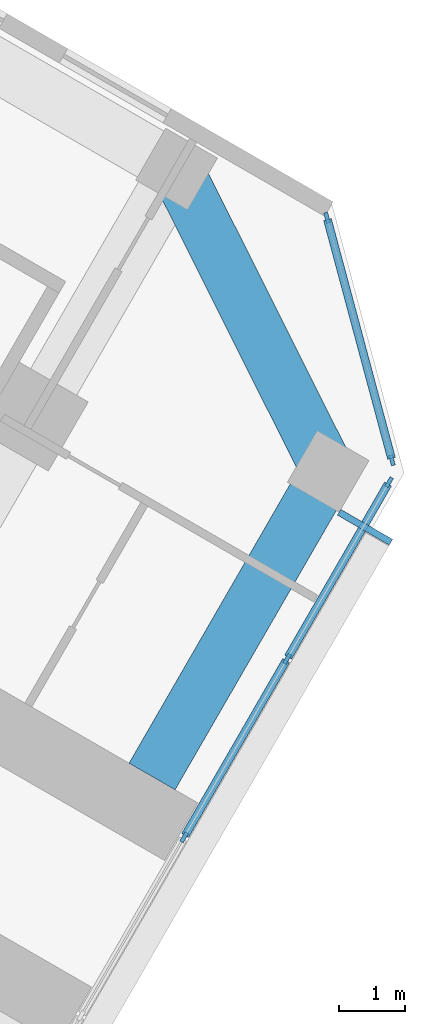
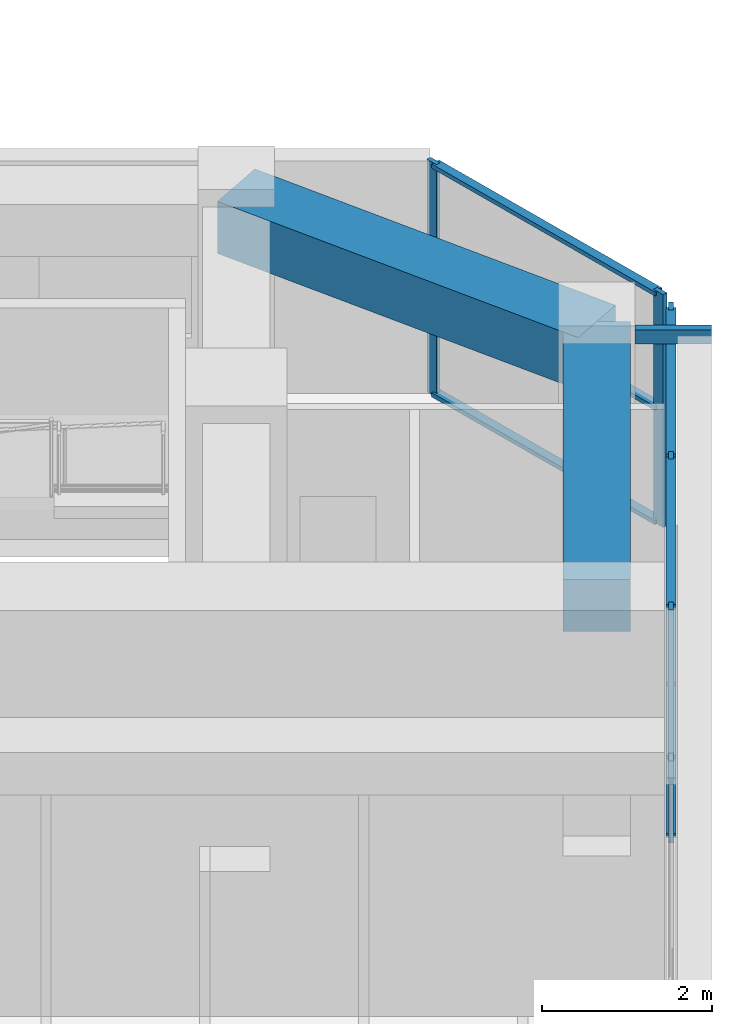
# One storey, part 8 of 21: 13 members, 2 beams, 2 elements without a shape of their own.
"""IFC4 building model written with IfcOpenShell, lengths in metres."""

from ifc_helpers import new_model, si_unit, direction, frame, origin, origin_2d, place, context, subcontext, project, spatial, rectangle, hollow_rectangle, extrude, material, material_profile, profile_set, type_object, element, aggregate, save


model = new_model("IFC4")

# Units and contexts
model_context = context("Model", 3, precision=1e-05, world=origin(), true_north=direction((0.0, 1.0)))
body_context = subcontext(model_context, "Body", "Model", "MODEL_VIEW")
ifc_project = project(units=[si_unit("LENGTHUNIT", "METRE"), si_unit("AREAUNIT", "SQUARE_METRE"), si_unit("VOLUMEUNIT", "CUBIC_METRE"), si_unit("PLANEANGLEUNIT", "RADIAN"), si_unit("MASSUNIT", "GRAM", prefix="KILO")], contexts=[model_context])

# Site, building, storey
site_placement = place(None, origin())
site = spatial("IfcSite", under=ifc_project, at=site_placement, CompositionType="ELEMENT")
building_placement = place(site_placement, origin())
building = spatial("IfcBuilding", under=site, at=building_placement, Name="Kosmar Iwan School Tower", CompositionType="ELEMENT")
storey_placement = place(building_placement, frame((0.0, 0.0, 84.39990234375)))
storey = spatial("IfcBuildingStorey", under=building, at=storey_placement, Name="L20", CompositionType="ELEMENT", Elevation=84.39990234375)

# Member
ifc_material_1 = material(Name="Steel S355", Category="steel")
ifc_material_profile_1 = material_profile(ifc_material_1, hollow_rectangle(XDim=0.10009765625, YDim=0.199951171875, WallThickness=0.008056640625, at=origin_2d()), Name="RHS 200x100x8")
ifc_profile_set_1 = profile_set([ifc_material_profile_1], Name="Steel S355")
member_type_1 = type_object("IfcMemberType", Name="Fin bracket RHS 200x100", PredefinedType="USERDEFINED", material=ifc_profile_set_1)
member_1_placement = place(storey_placement, frame((32.963134765625, -11.006103515625, 3.47509765625), z_axis=(0.866081705922, -0.499902469156, 0.0), x_axis=(0.499902469156, 0.866081705922, 0.0)))
element("IfcMember", 1, at=member_1_placement, inside=storey, type_object=member_type_1, Name="Fin bracket L21", ObjectType="FIN BRACKET", PredefinedType="USERDEFINED", context=body_context, shape_type="SweptSolid", body=[
    extrude(hollow_rectangle(XDim=0.10009765625, YDim=0.199951171875, WallThickness=0.008056640625, at=origin_2d()), origin(), (0.0, 0.0, 1.0), 0.900146484375),
])

# Curtain wall, members
ifc_material_2 = material(Name="Dark glass in black aluminium frame", Category="aluminium")
curtain_wall_type_1 = type_object("IfcCurtainWallType", Name="Tower curtain wall dark glass", PredefinedType="USERDEFINED", material=ifc_material_2)
curtain_wall_1_placement = place(storey_placement, origin())
curtain_wall_1 = element("IfcCurtainWall", 2, at=curtain_wall_1_placement, inside=storey, type_object=curtain_wall_type_1, Name="Curtain wall L20-F03", ObjectType="UNITISED CURTAIN WALL", PredefinedType="USERDEFINED")
ifc_material_3 = material(Name="Black anodised aluminium", Category="aluminium")
ifc_material_profile_2 = material_profile(ifc_material_3, rectangle(XDim=0.06005859375, YDim=0.159912109375, at=origin_2d()), Name="MULLION 60x160")
ifc_profile_set_2 = profile_set([ifc_material_profile_2], Name="Black anodised aluminium")
member_type_2 = type_object("IfcMemberType", Name="Mullion 60x160", PredefinedType="MULLION", material=ifc_profile_set_2)
member_2_placement = place(storey_placement, frame((30.631103515625, -15.8955078125, 0.0), z_axis=(0.0, 0.0, 1.0), x_axis=(-0.866025405329, 0.499999997325, 0.0)))
member_2 = element("IfcMember", 3, at=member_2_placement, type_object=member_type_2, Name="CW1 mullion 4", PredefinedType="MULLION", context=body_context, shape_type="SweptSolid", body=[
    extrude(rectangle(XDim=0.06005859375, YDim=0.159912109375, at=origin_2d()), origin(), (0.0, 0.0, 1.0), 3.35009765625),
])
member_3_placement = place(storey_placement, frame((32.1806640625, -13.21142578125, 0.0), z_axis=(0.0, 0.0, 1.0), x_axis=(-0.866025405329, 0.499999997325, 0.0)))
member_3 = element("IfcMember", 4, at=member_3_placement, type_object=member_type_2, Name="CW1 mullion 5", PredefinedType="MULLION", context=body_context, shape_type="SweptSolid", body=[
    extrude(rectangle(XDim=0.06005859375, YDim=0.159912109375, at=origin_2d()), origin(), (0.0, 0.0, 1.0), 3.35009765625),
])
member_4_placement = place(storey_placement, frame((33.71533203125, -10.55322265625, 0.0), z_axis=(0.0, 0.0, 1.0), x_axis=(-0.866025405329, 0.499999997325, 0.0)))
member_4 = element("IfcMember", 5, at=member_4_placement, type_object=member_type_2, Name="CW1 mullion 6", PredefinedType="MULLION", context=body_context, shape_type="SweptSolid", body=[
    extrude(rectangle(XDim=0.06005859375, YDim=0.159912109375, at=origin_2d()), origin(), (0.0, 0.0, 1.0), 3.35009765625),
])

ifc_material_4 = material(Name="Dark glass in black aluminium frame", Category="aluminium")
curtain_wall_type_2 = type_object("IfcCurtainWallType", Name="Chamfer curtain wall dark glass", PredefinedType="USERDEFINED", material=ifc_material_4)
curtain_wall_2_placement = place(storey_placement, origin())
curtain_wall_2 = element("IfcCurtainWall", 6, at=curtain_wall_2_placement, inside=storey, type_object=curtain_wall_type_2, Name="Curtain wall L20-F04", ObjectType="FACETED CURTAIN WALL", PredefinedType="USERDEFINED")
member_5_placement = place(storey_placement, frame((33.7587890625, -10.2236328125, 0.0), z_axis=(0.0, 0.0, 1.0), x_axis=(-0.965925875495, -0.258818861462, 0.0)))
member_5 = element("IfcMember", 7, at=member_5_placement, type_object=member_type_2, Name="CW2 mullion 1", PredefinedType="MULLION", context=body_context, shape_type="SweptSolid", body=[
    extrude(rectangle(XDim=0.06005859375, YDim=0.159912109375, at=origin_2d()), origin(), (0.0, 0.0, 1.0), 3.35009765625),
])
member_6_placement = place(storey_placement, frame((32.78076171875, -6.5732421875, 0.0), z_axis=(0.0, 0.0, 1.0), x_axis=(-0.965925875495, -0.258818861462, 0.0)))
member_6 = element("IfcMember", 8, at=member_6_placement, type_object=member_type_2, Name="CW2 mullion 2", PredefinedType="MULLION", context=body_context, shape_type="SweptSolid", body=[
    extrude(rectangle(XDim=0.06005859375, YDim=0.159912109375, at=origin_2d()), origin(), (0.0, 0.0, 1.0), 3.35009765625),
])

# Beams
ifc_material_5 = material(Name="Concrete C50/60", Category="concrete")
ifc_material_profile_3 = material_profile(ifc_material_5, rectangle(XDim=0.800048828125, YDim=0.75, at=origin_2d()), Name="RC 800x750")
ifc_profile_set_3 = profile_set([ifc_material_profile_3], Name="Concrete C50/60")
beam_type = type_object("IfcBeamType", Name="RC tip beam 800x750", PredefinedType="BEAM", material=ifc_profile_set_3)
beam_1_placement = place(storey_placement, frame((30.517822265625, -5.841552734375, 2.97509765625), z_axis=(0.44809604203, -0.893985423325, 0.0), x_axis=(0.893985423325, 0.44809604203, 0.0)))
element("IfcBeam", 9, at=beam_1_placement, inside=storey, type_object=beam_type, Name="Tip beam CL", PredefinedType="BEAM", context=body_context, shape_type="SweptSolid", body=[
    extrude(rectangle(XDim=0.800048828125, YDim=0.75, at=origin_2d()), origin(), (0.0, 0.0, 1.0), 5.08935546875),
])
beam_2_placement = place(storey_placement, frame((32.79833984375, -10.391357421875, 2.97509765625), z_axis=(-0.499973660256, -0.866040610509, 0.0), x_axis=(0.866040610509, -0.499973660256, 0.0)))
element("IfcBeam", 10, at=beam_2_placement, inside=storey, type_object=beam_type, Name="Tip beam CL to corridor wall", PredefinedType="BEAM", context=body_context, shape_type="SweptSolid", body=[
    extrude(rectangle(XDim=0.800048828125, YDim=0.75, at=origin_2d()), origin(), (0.0, 0.0, 1.0), 5.300048828125),
])

# Member
ifc_material_6 = material(Name="Black anodised aluminium", Category="aluminium")
ifc_material_profile_4 = material_profile(ifc_material_6, rectangle(XDim=0.1201171875, YDim=0.06005859375, at=origin_2d()), Name="TRANSOM 60x120")
ifc_profile_set_4 = profile_set([ifc_material_profile_4], Name="Black anodised aluminium")
member_type_3 = type_object("IfcMemberType", Name="Transom 60x120", PredefinedType="USERDEFINED", material=ifc_profile_set_4)
member_7_placement = place(storey_placement, frame((30.64599609375, -15.869384765625, 0.030029296875), z_axis=(0.500035348339, 0.866004994449, 0.0), x_axis=(-0.866004994449, 0.500035348339, 0.0)))
member_7 = element("IfcMember", 11, at=member_7_placement, type_object=member_type_3, Name="CW1 transom 4.1", ObjectType="TRANSOM", PredefinedType="USERDEFINED", context=body_context, shape_type="SweptSolid", body=[
    extrude(rectangle(XDim=0.1201171875, YDim=0.06005859375, at=origin_2d()), origin(), (0.0, 0.0, 1.0), 3.039306640625),
])

member_8_placement = place(storey_placement, frame((30.64599609375, -15.869384765625, 3.320068359375), z_axis=(0.500035348339, 0.866004994449, 0.0), x_axis=(-0.866004994449, 0.500035348339, 0.0)))
member_8 = element("IfcMember", 12, at=member_8_placement, type_object=member_type_3, Name="CW1 transom 4.2", ObjectType="TRANSOM", PredefinedType="USERDEFINED", context=body_context, shape_type="SweptSolid", body=[
    extrude(rectangle(XDim=0.1201171875, YDim=0.06005859375, at=origin_2d()), origin(), (0.0, 0.0, 1.0), 3.039306640625),
])

member_9_placement = place(storey_placement, frame((32.19580078125, -13.185302734375, 0.030029296875), z_axis=(0.500022102064, 0.866012642776, 0.0), x_axis=(-0.866012642776, 0.500022102064, 0.0)))
member_9 = element("IfcMember", 13, at=member_9_placement, type_object=member_type_3, Name="CW1 transom 5.1", ObjectType="TRANSOM", PredefinedType="USERDEFINED", context=body_context, shape_type="SweptSolid", body=[
    extrude(rectangle(XDim=0.1201171875, YDim=0.06005859375, at=origin_2d()), origin(), (0.0, 0.0, 1.0), 3.009033203125),
])

member_10_placement = place(storey_placement, frame((32.19580078125, -13.185302734375, 3.320068359375), z_axis=(0.500022102064, 0.866012642776, 0.0), x_axis=(-0.866012642776, 0.500022102064, 0.0)))
member_10 = element("IfcMember", 14, at=member_10_placement, type_object=member_type_3, Name="CW1 transom 5.2", ObjectType="TRANSOM", PredefinedType="USERDEFINED", context=body_context, shape_type="SweptSolid", body=[
    extrude(rectangle(XDim=0.1201171875, YDim=0.06005859375, at=origin_2d()), origin(), (0.0, 0.0, 1.0), 3.009033203125),
])

aggregate(curtain_wall_1, [member_2, member_3, member_4, member_7, member_8, member_9, member_10])

member_11_placement = place(storey_placement, frame((33.7509765625, -10.194580078125, 0.030029296875), z_axis=(-0.258843273983, 0.965919333854, 0.0), x_axis=(-0.965919333854, -0.258843273983, 0.0)))
member_11 = element("IfcMember", 15, at=member_11_placement, type_object=member_type_3, Name="CW2 transom 1.1", ObjectType="TRANSOM", PredefinedType="USERDEFINED", context=body_context, shape_type="SweptSolid", body=[
    extrude(rectangle(XDim=0.1201171875, YDim=0.06005859375, at=origin_2d()), origin(), (0.0, 0.0, 1.0), 3.718994140625),
])

member_12_placement = place(storey_placement, frame((33.7509765625, -10.194580078125, 1.675048828125), z_axis=(-0.258843273983, 0.965919333854, 0.0), x_axis=(-0.965919333854, -0.258843273983, 0.0)))
member_12 = element("IfcMember", 16, at=member_12_placement, type_object=member_type_3, Name="CW2 transom 1.2", ObjectType="TRANSOM", PredefinedType="USERDEFINED", context=body_context, shape_type="SweptSolid", body=[
    extrude(rectangle(XDim=0.1201171875, YDim=0.06005859375, at=origin_2d()), origin(), (0.0, 0.0, 1.0), 3.718994140625),
])

member_13_placement = place(storey_placement, frame((33.7509765625, -10.194580078125, 3.320068359375), z_axis=(-0.258843273983, 0.965919333854, 0.0), x_axis=(-0.965919333854, -0.258843273983, 0.0)))
member_13 = element("IfcMember", 17, at=member_13_placement, type_object=member_type_3, Name="CW2 transom 1.3", ObjectType="TRANSOM", PredefinedType="USERDEFINED", context=body_context, shape_type="SweptSolid", body=[
    extrude(rectangle(XDim=0.1201171875, YDim=0.06005859375, at=origin_2d()), origin(), (0.0, 0.0, 1.0), 3.718994140625),
])

aggregate(curtain_wall_2, [member_5, member_6, member_11, member_12, member_13])

save(model, "model.ifc")
